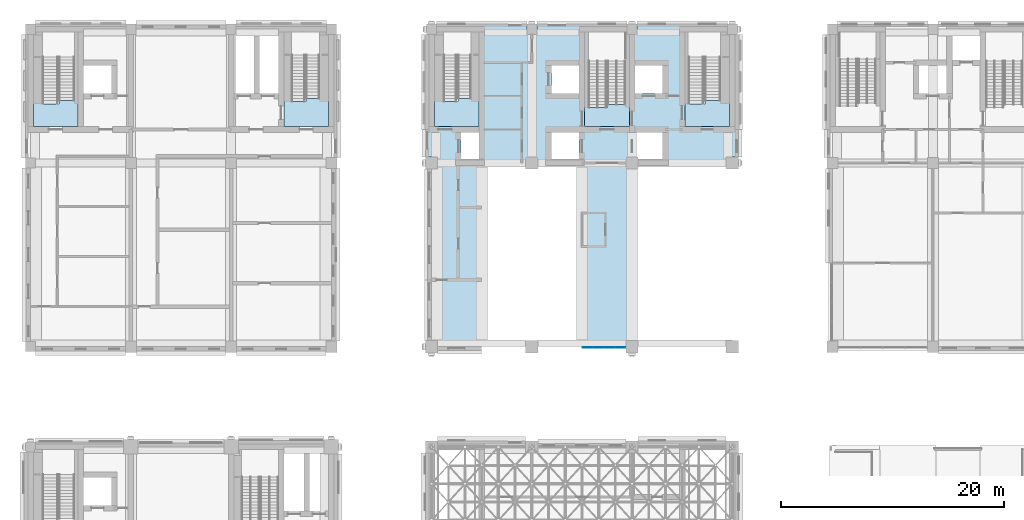
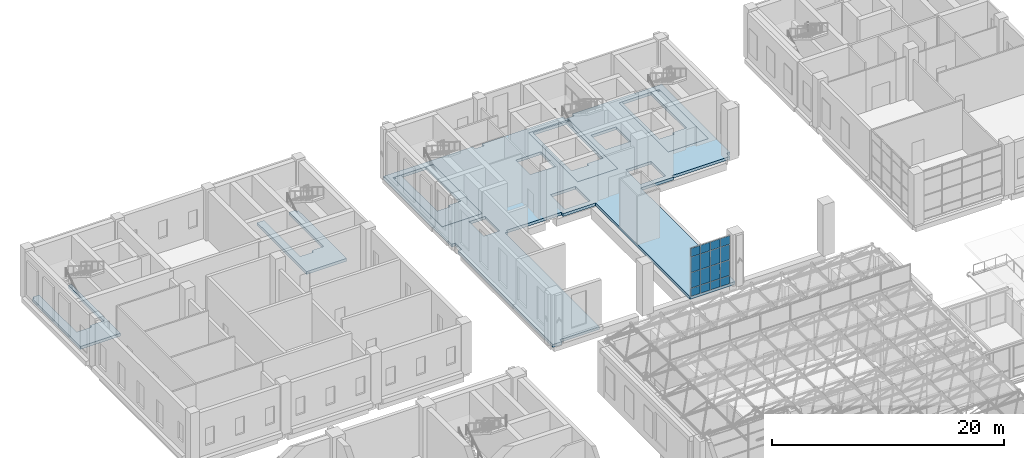
# One storey, part 22 of 53: 16 plates, 6 slabs, 6 elements without a shape of their own.
"""IFC4 building model written with IfcOpenShell, lengths in metres."""

from ifc_helpers import new_model, si_unit, direction, frame, origin, origin_2d, place, context, subcontext, project, spatial, polyline, rectangle, outline, extrude, material, layer, layer_set, type_object, element, aggregate, save


model = new_model("IFC4")

# Units and contexts
model_context = context("Model", 3, precision=1e-05, world=origin(), true_north=direction((0.0, 1.0)))
body_context = subcontext(model_context, "Body", "Model", "MODEL_VIEW")
ifc_project = project(units=[si_unit("LENGTHUNIT", "METRE"), si_unit("AREAUNIT", "SQUARE_METRE"), si_unit("VOLUMEUNIT", "CUBIC_METRE"), si_unit("PLANEANGLEUNIT", "RADIAN"), si_unit("MASSUNIT", "GRAM", prefix="KILO")], contexts=[model_context])

# Site, building, storey
site_placement = place(None, origin())
site = spatial("IfcSite", under=ifc_project, at=site_placement, CompositionType="ELEMENT")
building_placement = place(site_placement, origin())
building = spatial("IfcBuilding", under=site, at=building_placement, Name="Aurelan Courthouse", CompositionType="ELEMENT")
storey_placement = place(building_placement, frame((0.0, 0.0, 12.0)))
storey = spatial("IfcBuildingStorey", under=building, at=storey_placement, Name="L02", CompositionType="ELEMENT", Elevation=12.0)

# Curtain wall, plates
ifc_material_1 = material(Name="Bronze-finished aluminium and glass", Category="aluminium")
ifc_layer_1 = layer(ifc_material_1, 0.14990234375)
ifc_layer_set_1 = layer_set([ifc_layer_1], Name="Bronze-finished aluminium and glass")
curtain_wall_type = type_object("IfcCurtainWallType", Name="Curtain wall 3950 x 5150", PredefinedType="NOTDEFINED", material=ifc_layer_set_1)
curtain_wall_placement = place(storey_placement, origin())
curtain_wall = element("IfcCurtainWall", 1, at=curtain_wall_placement, inside=storey, type_object=curtain_wall_type, Name="Curtain wall CW-V2-L02-S01", PredefinedType="NOTDEFINED")
ifc_material_2 = material(Name="Bronze-finished aluminium", Category="aluminium")
ifc_layer_2 = layer(ifc_material_2, 0.080078125)
ifc_layer_set_2 = layer_set([ifc_layer_2], Name="Bronze-finished aluminium")
plate_type_1 = type_object("IfcPlateType", Name="Bronze spandrel panel 80", PredefinedType="CURTAIN_PANEL", material=ifc_layer_set_2)
plate_1_placement = place(storey_placement, frame((50.00634765625, 37.425048828125, 4.22509765625), z_axis=(0.0, 0.0, 1.0), x_axis=(1.0, 0.0, 0.0)))
plate_1 = element("IfcPlate", 2, at=plate_1_placement, type_object=plate_type_1, Name="CW-V2-L02-S01 spandrel panel 1.4", PredefinedType="CURTAIN_PANEL", context=body_context, shape_type="SweptSolid", body=[
    extrude(rectangle(XDim=0.91259765625, YDim=0.080078125, at=origin_2d()), origin(), (0.0, 0.0, 1.0), 0.875),
])
plate_2_placement = place(storey_placement, frame((50.981201171875, 37.425048828125, 4.22509765625), z_axis=(0.0, 0.0, 1.0), x_axis=(1.0, 0.0, 0.0)))
plate_2 = element("IfcPlate", 3, at=plate_2_placement, type_object=plate_type_1, Name="CW-V2-L02-S01 spandrel panel 2.4", PredefinedType="CURTAIN_PANEL", context=body_context, shape_type="SweptSolid", body=[
    extrude(rectangle(XDim=0.9375, YDim=0.080078125, at=origin_2d()), origin(), (0.0, 0.0, 1.0), 0.875),
])
plate_3_placement = place(storey_placement, frame((51.96875, 37.425048828125, 4.22509765625), z_axis=(0.0, 0.0, 1.0), x_axis=(1.0, 0.0, 0.0)))
plate_3 = element("IfcPlate", 4, at=plate_3_placement, type_object=plate_type_1, Name="CW-V2-L02-S01 spandrel panel 3.4", PredefinedType="CURTAIN_PANEL", context=body_context, shape_type="SweptSolid", body=[
    extrude(rectangle(XDim=0.9375, YDim=0.080078125, at=origin_2d()), origin(), (0.0, 0.0, 1.0), 0.875),
])
plate_4_placement = place(storey_placement, frame((52.94384765625, 37.425048828125, 4.22509765625), z_axis=(0.0, 0.0, 1.0), x_axis=(1.0, 0.0, 0.0)))
plate_4 = element("IfcPlate", 5, at=plate_4_placement, type_object=plate_type_1, Name="CW-V2-L02-S01 spandrel panel 4.4", PredefinedType="CURTAIN_PANEL", context=body_context, shape_type="SweptSolid", body=[
    extrude(rectangle(XDim=0.91259765625, YDim=0.080078125, at=origin_2d()), origin(), (0.0, 0.0, 1.0), 0.875),
])

# Slab
ifc_material_3 = material(Name="Concrete C40", Category="concrete")
ifc_layer_3 = layer(ifc_material_3, 0.300048828125)
ifc_layer_set_3 = layer_set([ifc_layer_3], Name="Concrete C40")
slab_type_1 = type_object("IfcSlabType", Name="PT floor slab 300", PredefinedType="FLOOR", material=ifc_layer_set_3)
slab_1_placement = place(storey_placement, frame((0.0, 0.0, -0.300048828125)))
element("IfcSlab", 6, at=slab_1_placement, inside=storey, type_object=slab_type_1, Name="Floor slab SL-L02-02", PredefinedType="FLOOR", context=body_context, shape_type="SweptSolid", body=[
    extrude(outline(polyline([(36.449951171875, 66.35009765625), (35.64990234375, 66.35009765625), (35.64990234375, 65.550048828125), (35.64990234375, 54.550048828125), (36.0, 54.550048828125), (36.0, 53.449951171875), (35.64990234375, 53.449951171875), (35.64990234375, 38.050048828125), (35.64990234375, 37.14990234375), (36.550048828125, 37.14990234375), (36.550048828125, 37.5), (40.5, 37.5), (40.5, 53.75), (40.75, 53.75), (40.75, 54.0), (46.25, 54.0), (46.25, 53.75), (49.5, 53.75), (49.5, 37.5), (54.0, 37.5), (54.0, 53.75), (57.25, 53.75), (57.25, 54.0), (63.0, 54.0), (63.0, 54.550048828125), (63.35009765625, 54.550048828125), (63.35009765625, 65.550048828125), (63.35009765625, 66.35009765625), (62.550048828125, 66.35009765625), (54.449951171875, 66.35009765625), (54.449951171875, 66.0), (53.550048828125, 66.0), (53.550048828125, 66.35009765625), (45.449951171875, 66.35009765625), (45.449951171875, 66.0), (44.550048828125, 66.0), (44.550048828125, 66.35009765625), (36.449951171875, 66.35009765625)]), holes=[polyline([(58.75, 65.75), (62.75, 65.75), (62.75, 57.25), (58.75, 57.25), (58.75, 65.75)]), polyline([(56.75, 56.75), (56.75, 54.25), (54.25, 54.25), (54.25, 56.75), (56.75, 56.75)]), polyline([(56.75, 60.25), (54.25, 60.25), (54.25, 62.75), (56.75, 62.75), (56.75, 60.25)]), polyline([(49.75, 57.25), (49.75, 65.75), (53.75, 65.75), (53.75, 57.25), (49.75, 57.25)]), polyline([(46.75, 56.75), (49.25, 56.75), (49.25, 54.25), (46.75, 54.25), (46.75, 56.75)]), polyline([(46.75, 60.25), (46.75, 62.75), (49.25, 62.75), (49.25, 60.25), (46.75, 60.25)]), polyline([(40.25, 56.75), (40.25, 54.25), (38.64990234375, 54.25), (38.64990234375, 56.75), (40.25, 56.75)]), polyline([(40.25, 57.25), (36.25, 57.25), (36.25, 65.75), (40.25, 65.75), (40.25, 57.25)])]), origin(), (0.0, 0.0, 1.0), 0.300048828125),
])

# Plate
ifc_layer_4 = layer(ifc_material_2, 0.0400390625)
ifc_layer_set_4 = layer_set([ifc_layer_4], Name="Bronze-finished aluminium")
plate_type_2 = type_object("IfcPlateType", Name="Sill panel 40", PredefinedType="CURTAIN_PANEL", material=ifc_layer_set_4)
plate_5_placement = place(storey_placement, frame((50.00634765625, 37.425048828125, 0.0498046875), z_axis=(0.0, 0.0, 1.0), x_axis=(1.0, 0.0, 0.0)))
plate_5 = element("IfcPlate", 7, at=plate_5_placement, type_object=plate_type_2, Name="CW-V2-L02-S01 sill panel 1.1", PredefinedType="CURTAIN_PANEL", context=body_context, shape_type="SweptSolid", body=[
    extrude(rectangle(XDim=0.91259765625, YDim=0.0400390625, at=origin_2d()), origin(), (0.0, 0.0, 1.0), 0.824951171875),
])

plate_6_placement = place(storey_placement, frame((50.981201171875, 37.425048828125, 0.0498046875), z_axis=(0.0, 0.0, 1.0), x_axis=(1.0, 0.0, 0.0)))
plate_6 = element("IfcPlate", 8, at=plate_6_placement, type_object=plate_type_2, Name="CW-V2-L02-S01 sill panel 2.1", PredefinedType="CURTAIN_PANEL", context=body_context, shape_type="SweptSolid", body=[
    extrude(rectangle(XDim=0.9375, YDim=0.0400390625, at=origin_2d()), origin(), (0.0, 0.0, 1.0), 0.824951171875),
])

plate_7_placement = place(storey_placement, frame((51.96875, 37.425048828125, 0.0498046875), z_axis=(0.0, 0.0, 1.0), x_axis=(1.0, 0.0, 0.0)))
plate_7 = element("IfcPlate", 9, at=plate_7_placement, type_object=plate_type_2, Name="CW-V2-L02-S01 sill panel 3.1", PredefinedType="CURTAIN_PANEL", context=body_context, shape_type="SweptSolid", body=[
    extrude(rectangle(XDim=0.9375, YDim=0.0400390625, at=origin_2d()), origin(), (0.0, 0.0, 1.0), 0.824951171875),
])

plate_8_placement = place(storey_placement, frame((52.94384765625, 37.425048828125, 0.0498046875), z_axis=(0.0, 0.0, 1.0), x_axis=(1.0, 0.0, 0.0)))
plate_8 = element("IfcPlate", 10, at=plate_8_placement, type_object=plate_type_2, Name="CW-V2-L02-S01 sill panel 4.1", PredefinedType="CURTAIN_PANEL", context=body_context, shape_type="SweptSolid", body=[
    extrude(rectangle(XDim=0.91259765625, YDim=0.0400390625, at=origin_2d()), origin(), (0.0, 0.0, 1.0), 0.824951171875),
])

# Stair, slab
ifc_material_4 = material(Name="Concrete C30", Category="concrete")
stair_type_1 = type_object("IfcStairType", Name="Half-turn stair 1200 wide 31 risers", PredefinedType="HALF_TURN_STAIR", material=ifc_material_4)
stair_1_placement = place(storey_placement, origin())
stair_1 = element("IfcStair", 11, at=stair_1_placement, inside=storey, type_object=stair_type_1, Name="Stair CS-2-L02", PredefinedType="HALF_TURN_STAIR")
ifc_layer_5 = layer(ifc_material_4, 0.300048828125)
ifc_layer_set_5 = layer_set([ifc_layer_5], Name="Concrete C30")
slab_type_2 = type_object("IfcSlabType", Name="Stair floor landing 300 thick", PredefinedType="LANDING", material=ifc_layer_set_5)
slab_2_placement = place(storey_placement, frame((0.0, 0.0, -0.300048828125)))
slab_2 = element("IfcSlab", 12, at=slab_2_placement, type_object=slab_type_2, Name="Stair CS-2-L02 floor landing", PredefinedType="LANDING", context=body_context, shape_type="SweptSolid", body=[
    extrude(outline(polyline([(37.06005859375, 59.510986328125), (38.360107421875, 59.510986328125), (38.360107421875, 59.791015625), (39.56005859375, 59.791015625), (39.56005859375, 65.75), (40.25, 65.75), (40.25, 57.25), (36.25, 57.25), (36.25, 65.550048828125), (36.449951171875, 65.550048828125), (36.449951171875, 65.75), (37.06005859375, 65.75), (37.06005859375, 59.510986328125)])), origin(), (0.0, 0.0, 1.0), 0.300048828125),
])
aggregate(stair_1, [slab_2])

stair_2_placement = place(storey_placement, origin())
stair_2 = element("IfcStair", 13, at=stair_2_placement, inside=storey, type_object=stair_type_1, Name="Stair CS-6-L02", PredefinedType="HALF_TURN_STAIR")
slab_3_placement = place(storey_placement, frame((0.0, 0.0, -0.300048828125)))
slab_3 = element("IfcSlab", 14, at=slab_3_placement, type_object=slab_type_2, Name="Stair CS-6-L02 floor landing", PredefinedType="LANDING", context=body_context, shape_type="SweptSolid", body=[
    extrude(outline(polyline([(23.43994140625, 59.510986328125), (24.739990234375, 59.510986328125), (24.739990234375, 59.791015625), (25.93994140625, 59.791015625), (25.93994140625, 65.75), (26.550048828125, 65.75), (26.550048828125, 65.550048828125), (26.75, 65.550048828125), (26.75, 57.25), (22.75, 57.25), (22.75, 65.75), (23.43994140625, 65.75), (23.43994140625, 59.510986328125)])), origin(), (0.0, 0.0, 1.0), 0.300048828125),
])
aggregate(stair_2, [slab_3])

stair_type_2 = type_object("IfcStairType", Name="Half-turn stair 1600 wide 31 risers", PredefinedType="HALF_TURN_STAIR", material=ifc_material_4)
stair_3_placement = place(storey_placement, origin())
stair_3 = element("IfcStair", 15, at=stair_3_placement, inside=storey, type_object=stair_type_2, Name="Stair ST-2A-L02", PredefinedType="HALF_TURN_STAIR")
slab_4_placement = place(storey_placement, frame((0.0, 0.0, -0.300048828125)))
slab_4 = element("IfcSlab", 16, at=slab_4_placement, type_object=slab_type_2, Name="Stair ST-2A-L02 floor landing", PredefinedType="LANDING", context=body_context, shape_type="SweptSolid", body=[
    extrude(outline(polyline([(53.75, 57.25), (49.75, 57.25), (49.75, 65.590087890625), (49.75, 65.60009765625), (49.75, 65.75), (53.550048828125, 65.75), (53.550048828125, 65.550048828125), (53.75, 65.550048828125), (53.75, 57.25)]), holes=[polyline([(51.800048828125, 58.9609375), (51.800048828125, 59.240966796875), (53.39990234375, 59.240966796875), (53.39990234375, 65.590087890625), (50.10009765625, 65.590087890625), (50.10009765625, 58.9609375), (51.800048828125, 58.9609375)])]), origin(), (0.0, 0.0, 1.0), 0.300048828125),
])
aggregate(stair_3, [slab_4])

stair_type_3 = type_object("IfcStairType", Name="Half-turn stair 1400 wide 31 risers", PredefinedType="HALF_TURN_STAIR", material=ifc_material_4)
stair_4_placement = place(storey_placement, origin())
stair_4 = element("IfcStair", 17, at=stair_4_placement, inside=storey, type_object=stair_type_3, Name="Stair ST-2E-L02", PredefinedType="HALF_TURN_STAIR")
slab_5_placement = place(storey_placement, frame((0.0, 0.0, -0.300048828125)))
slab_5 = element("IfcSlab", 18, at=slab_5_placement, type_object=slab_type_2, Name="Stair ST-2E-L02 floor landing", PredefinedType="LANDING", context=body_context, shape_type="SweptSolid", body=[
    extrude(outline(polyline([(59.0400390625, 59.31103515625), (60.5400390625, 59.31103515625), (60.5400390625, 59.591064453125), (61.93994140625, 59.591064453125), (61.93994140625, 65.75), (62.550048828125, 65.75), (62.550048828125, 65.550048828125), (62.75, 65.550048828125), (62.75, 57.25), (58.75, 57.25), (58.75, 65.75), (59.0400390625, 65.75), (59.0400390625, 59.31103515625)])), origin(), (0.0, 0.0, 1.0), 0.300048828125),
])
aggregate(stair_4, [slab_5])

stair_5_placement = place(storey_placement, origin())
stair_5 = element("IfcStair", 19, at=stair_5_placement, inside=storey, type_object=stair_type_3, Name="Stair ST-6-L02", PredefinedType="HALF_TURN_STAIR")
slab_6_placement = place(storey_placement, frame((0.0, 0.0, -0.300048828125)))
slab_6 = element("IfcSlab", 20, at=slab_6_placement, type_object=slab_type_2, Name="Stair ST-6-L02 floor landing", PredefinedType="LANDING", context=body_context, shape_type="SweptSolid", body=[
    extrude(outline(polyline([(1.06005859375, 59.31103515625), (2.56005859375, 59.31103515625), (2.56005859375, 59.591064453125), (3.9599609375, 59.591064453125), (3.9599609375, 65.75), (4.25, 65.75), (4.25, 57.25), (0.25, 57.25), (0.25, 65.550048828125), (0.449951171875, 65.550048828125), (0.449951171875, 65.75), (1.06005859375, 65.75), (1.06005859375, 59.31103515625)])), origin(), (0.0, 0.0, 1.0), 0.300048828125),
])
aggregate(stair_5, [slab_6])

# Plate
ifc_material_5 = material(Name="Laminated low-emissivity glass", Category="glass")
ifc_layer_6 = layer(ifc_material_5, 0.02392578125)
ifc_layer_set_6 = layer_set([ifc_layer_6], Name="Laminated low-emissivity glass")
plate_type_3 = type_object("IfcPlateType", Name="Vision glass panel 24", PredefinedType="CURTAIN_PANEL", material=ifc_layer_set_6)
plate_9_placement = place(storey_placement, frame((50.00634765625, 37.425048828125, 0.925048828125), z_axis=(0.0, 0.0, 1.0), x_axis=(1.0, 0.0, 0.0)))
plate_9 = element("IfcPlate", 21, at=plate_9_placement, type_object=plate_type_3, Name="CW-V2-L02-S01 vision panel 1.2", PredefinedType="CURTAIN_PANEL", context=body_context, shape_type="SweptSolid", body=[
    extrude(rectangle(XDim=0.91259765625, YDim=0.02392578125, at=origin_2d()), origin(), (0.0, 0.0, 1.0), 1.60009765625),
])

plate_10_placement = place(storey_placement, frame((50.00634765625, 37.425048828125, 2.574951171875), z_axis=(0.0, 0.0, 1.0), x_axis=(1.0, 0.0, 0.0)))
plate_10 = element("IfcPlate", 22, at=plate_10_placement, type_object=plate_type_3, Name="CW-V2-L02-S01 vision panel 1.3", PredefinedType="CURTAIN_PANEL", context=body_context, shape_type="SweptSolid", body=[
    extrude(rectangle(XDim=0.91259765625, YDim=0.02392578125, at=origin_2d()), origin(), (0.0, 0.0, 1.0), 1.60009765625),
])

plate_11_placement = place(storey_placement, frame((50.981201171875, 37.425048828125, 0.925048828125), z_axis=(0.0, 0.0, 1.0), x_axis=(1.0, 0.0, 0.0)))
plate_11 = element("IfcPlate", 23, at=plate_11_placement, type_object=plate_type_3, Name="CW-V2-L02-S01 vision panel 2.2", PredefinedType="CURTAIN_PANEL", context=body_context, shape_type="SweptSolid", body=[
    extrude(rectangle(XDim=0.9375, YDim=0.02392578125, at=origin_2d()), origin(), (0.0, 0.0, 1.0), 1.60009765625),
])

plate_12_placement = place(storey_placement, frame((50.981201171875, 37.425048828125, 2.574951171875), z_axis=(0.0, 0.0, 1.0), x_axis=(1.0, 0.0, 0.0)))
plate_12 = element("IfcPlate", 24, at=plate_12_placement, type_object=plate_type_3, Name="CW-V2-L02-S01 vision panel 2.3", PredefinedType="CURTAIN_PANEL", context=body_context, shape_type="SweptSolid", body=[
    extrude(rectangle(XDim=0.9375, YDim=0.02392578125, at=origin_2d()), origin(), (0.0, 0.0, 1.0), 1.60009765625),
])

plate_13_placement = place(storey_placement, frame((51.96875, 37.425048828125, 0.925048828125), z_axis=(0.0, 0.0, 1.0), x_axis=(1.0, 0.0, 0.0)))
plate_13 = element("IfcPlate", 25, at=plate_13_placement, type_object=plate_type_3, Name="CW-V2-L02-S01 vision panel 3.2", PredefinedType="CURTAIN_PANEL", context=body_context, shape_type="SweptSolid", body=[
    extrude(rectangle(XDim=0.9375, YDim=0.02392578125, at=origin_2d()), origin(), (0.0, 0.0, 1.0), 1.60009765625),
])

plate_14_placement = place(storey_placement, frame((51.96875, 37.425048828125, 2.574951171875), z_axis=(0.0, 0.0, 1.0), x_axis=(1.0, 0.0, 0.0)))
plate_14 = element("IfcPlate", 26, at=plate_14_placement, type_object=plate_type_3, Name="CW-V2-L02-S01 vision panel 3.3", PredefinedType="CURTAIN_PANEL", context=body_context, shape_type="SweptSolid", body=[
    extrude(rectangle(XDim=0.9375, YDim=0.02392578125, at=origin_2d()), origin(), (0.0, 0.0, 1.0), 1.60009765625),
])

plate_15_placement = place(storey_placement, frame((52.94384765625, 37.425048828125, 0.925048828125), z_axis=(0.0, 0.0, 1.0), x_axis=(1.0, 0.0, 0.0)))
plate_15 = element("IfcPlate", 27, at=plate_15_placement, type_object=plate_type_3, Name="CW-V2-L02-S01 vision panel 4.2", PredefinedType="CURTAIN_PANEL", context=body_context, shape_type="SweptSolid", body=[
    extrude(rectangle(XDim=0.91259765625, YDim=0.02392578125, at=origin_2d()), origin(), (0.0, 0.0, 1.0), 1.60009765625),
])

plate_16_placement = place(storey_placement, frame((52.94384765625, 37.425048828125, 2.574951171875), z_axis=(0.0, 0.0, 1.0), x_axis=(1.0, 0.0, 0.0)))
plate_16 = element("IfcPlate", 28, at=plate_16_placement, type_object=plate_type_3, Name="CW-V2-L02-S01 vision panel 4.3", PredefinedType="CURTAIN_PANEL", context=body_context, shape_type="SweptSolid", body=[
    extrude(rectangle(XDim=0.91259765625, YDim=0.02392578125, at=origin_2d()), origin(), (0.0, 0.0, 1.0), 1.60009765625),
])

aggregate(curtain_wall, [plate_5, plate_9, plate_10, plate_1, plate_6, plate_11, plate_12, plate_2, plate_7, plate_13, plate_14, plate_3, plate_8, plate_15, plate_16, plate_4])

save(model, "model.ifc")
